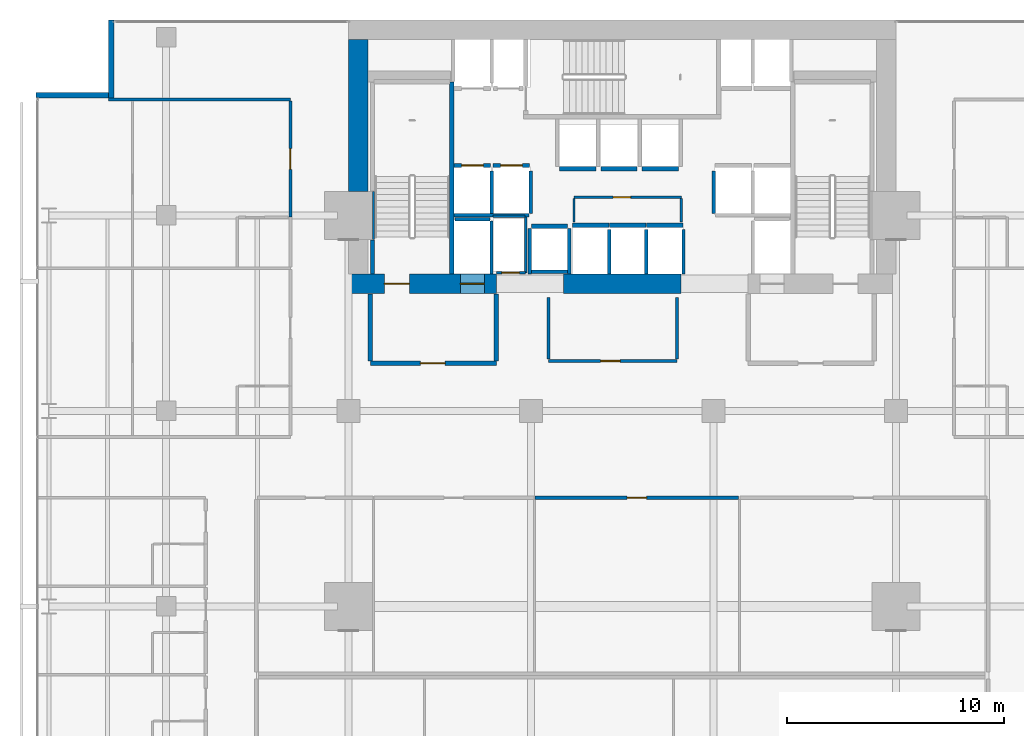
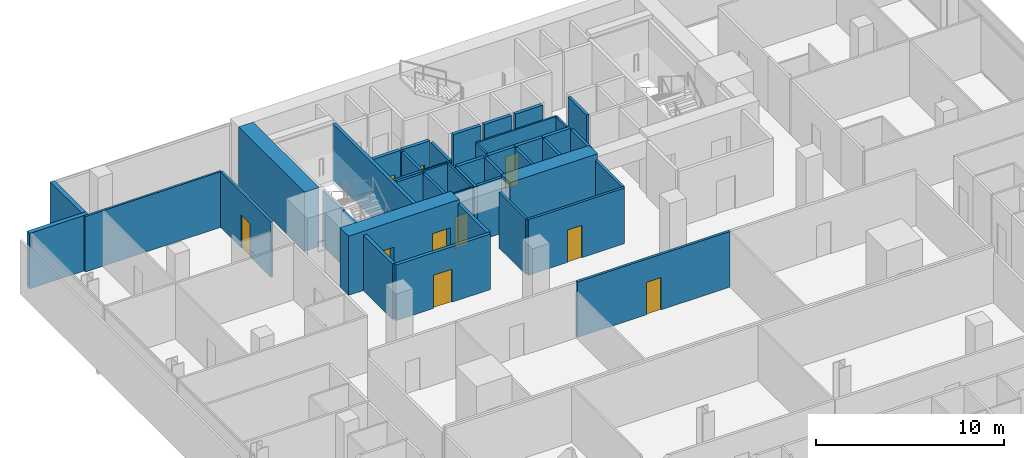
# One storey, part 36 of 40: 44 walls, 10 doors, 10 openings.
"""IFC4 building model written with IfcOpenShell, lengths in metres."""

from ifc_helpers import new_model, si_unit, direction, frame, frame_2d, origin, place, context, subcontext, project, spatial, rectangle, extrude, material, layer, layer_set, type_object, element, fill, save


model = new_model("IFC4")

# Units and contexts
model_context = context("Model", 3, precision=1e-05, world=origin(), true_north=direction((0.0, 1.0)))
body_context = subcontext(model_context, "Body", "Model", "MODEL_VIEW")
ifc_project = project(units=[si_unit("LENGTHUNIT", "METRE"), si_unit("AREAUNIT", "SQUARE_METRE"), si_unit("VOLUMEUNIT", "CUBIC_METRE"), si_unit("PLANEANGLEUNIT", "RADIAN"), si_unit("MASSUNIT", "GRAM", prefix="KILO")], contexts=[model_context])

# Site, building, storey
site_placement = place(None, origin())
site = spatial("IfcSite", under=ifc_project, at=site_placement, CompositionType="ELEMENT")
building_placement = place(site_placement, origin())
building = spatial("IfcBuilding", under=site, at=building_placement, Name="Maruvema Waterfront Hotel and Observation Tower", CompositionType="ELEMENT")
storey_placement = place(building_placement, frame((0.0, 0.0, 53.89990234375)))
storey = spatial("IfcBuildingStorey", under=building, at=storey_placement, Name="L12", CompositionType="ELEMENT", Elevation=53.89990234375)

# Wall, opening, door
ifc_material_1 = material(Name="Twin-stud acoustic gypsum drywall", Category="gypsum")
ifc_layer_1 = layer(ifc_material_1, 0.14990234375, Name="Acoustic Corridor and Suite Demising Wall 150 mm")
ifc_layer_set_1 = layer_set([ifc_layer_1], Name="Twin-stud acoustic gypsum drywall")
wall_type_1 = type_object("IfcWallType", Name="Acoustic Corridor and Suite Demising Wall 150 mm", PredefinedType="PARTITIONING", material=ifc_layer_set_1)
wall_1_placement = place(storey_placement, frame((34.39990234375, 38.300048828125, 0.0), z_axis=(0.0, 0.0, 1.0), x_axis=(1.0, 0.0, 0.0)))
wall_1 = element("IfcWall", 1, at=wall_1_placement, inside=storey, type_object=wall_type_1, Name="L12 Core Apron K0 South 013", PredefinedType="PARTITIONING", context=body_context, shape_type="SweptSolid", body=[
    extrude(rectangle(XDim=5.920166015625, YDim=0.14990234375, at=frame_2d((2.9599609375, 0.0))), origin(), (0.0, 0.0, 1.0), 3.610107421875),
])
opening_1_placement = place(wall_1_placement, frame((2.39990234375, 0.0, 0.0)))
opening_1 = element("IfcOpeningElement", 2, at=opening_1_placement, cuts=wall_1, Name="Opening DR-090", PredefinedType="OPENING", context=body_context, shape_type="SweptSolid", body=[
    extrude(rectangle(XDim=0.89990234375, YDim=2.10009765625, at=frame_2d((0.449951171875, 1.050048828125))), frame((0.0, 0.0849609375, 0.0), z_axis=(0.0, -1.0, 0.0), x_axis=(1.0, 0.0, 0.0)), (0.0, 0.0, 1.0), 0.169921875),
])
ifc_material_2 = material(Name="Solid-core lacquered timber leaf", Category="wood")
door_type_1 = type_object("IfcDoorType", Name="Accessible Toilet and Room Door 900x2100 mm", OperationType="NOTDEFINED", PredefinedType="DOOR", material=ifc_material_2)
door_1_placement = place(opening_1_placement, frame((0.89990234375, 0.0, 0.0), z_axis=(0.0, 0.0, 1.0), x_axis=(-1.0, 0.0, 0.0)))
door_1 = element("IfcDoor", 3, at=door_1_placement, inside=storey, type_object=door_type_1, Name="L12 Core Valet Room Door", OperationType="SINGLE_SWING_LEFT", OverallHeight=2.10009765625, OverallWidth=0.89990234375, PredefinedType="DOOR", context=body_context, shape_type="SweptSolid", body=[
    extrude(rectangle(XDim=0.89990234375, YDim=2.10009765625, at=frame_2d((0.449951171875, 1.050048828125))), frame((0.0, 0.02490234375, 0.0), z_axis=(0.0, -1.0, 0.0), x_axis=(1.0, 0.0, 0.0)), (0.0, 0.0, 1.0), 0.050048828125),
])
fill(opening_1, door_1)

# Walls
for number, where, z_axis, x_axis, name in (
    (4, (34.39990234375, 38.3798828125, 0.0), (0.0, 0.0, 1.0), (0.0, 1.0, 0.0), "L12 Core Apron K0 West 014"),
    (5, (40.320068359375, 38.3798828125, 0.0), (0.0, 0.0, 1.0), (0.0, 1.0, 0.0), "L12 Core Apron K0 East 015"),
):
    element("IfcWall", number, at=place(storey_placement, frame(where, z_axis=z_axis, x_axis=x_axis)), inside=storey, type_object=wall_type_1, Name=name, PredefinedType="PARTITIONING", context=body_context, shape_type="SweptSolid", body=[
        extrude(rectangle(XDim=2.840087890625, YDim=0.14990234375, at=frame_2d((1.419921875, 0.0))), origin(), (0.0, 0.0, 1.0), 3.610107421875),
    ])

# Wall, opening, door
wall_2_placement = place(storey_placement, frame((33.785888671875, 32.0, 0.0), z_axis=(0.0, 0.0, 1.0), x_axis=(1.0, 0.0, 0.0)))
wall_2 = element("IfcWall", 6, at=wall_2_placement, inside=storey, type_object=wall_type_1, Name="L12 L12-INTN Front 3 023", PredefinedType="PARTITIONING", context=body_context, shape_type="SweptSolid", body=[
    extrude(rectangle(XDim=9.376220703125, YDim=0.14990234375, at=frame_2d((4.68798828125, 0.0))), origin(), (0.0, 0.0, 1.0), 3.610107421875),
])
opening_2_placement = place(wall_2_placement, frame((4.238037109375, 0.0, 0.0)))
opening_2 = element("IfcOpeningElement", 7, at=opening_2_placement, cuts=wall_2, Name="Opening DR-090", PredefinedType="OPENING", context=body_context, shape_type="SweptSolid", body=[
    extrude(rectangle(XDim=0.89990234375, YDim=2.10009765625, at=frame_2d((0.449951171875, 1.050048828125))), frame((0.0, 0.0849609375, 0.0), z_axis=(0.0, -1.0, 0.0), x_axis=(1.0, 0.0, 0.0)), (0.0, 0.0, 1.0), 0.169921875),
])
door_2_placement = place(opening_2_placement, origin())
door_2 = element("IfcDoor", 8, at=door_2_placement, inside=storey, type_object=door_type_1, Name="L12 Conference Salon 3 Door", OperationType="SINGLE_SWING_RIGHT", OverallHeight=2.10009765625, OverallWidth=0.89990234375, PredefinedType="DOOR", context=body_context, shape_type="SweptSolid", body=[
    extrude(rectangle(XDim=0.89990234375, YDim=2.10009765625, at=frame_2d((0.449951171875, 1.050048828125))), frame((0.0, 0.02490234375, 0.0), z_axis=(0.0, -1.0, 0.0), x_axis=(1.0, 0.0, 0.0)), (0.0, 0.0, 1.0), 0.050048828125),
])
fill(opening_2, door_2)

wall_3_placement = place(storey_placement, frame((22.52001953125, 44.918701171875, 0.0), z_axis=(0.0, 0.0, 1.0), x_axis=(0.0, 1.0, 0.0)))
wall_3 = element("IfcWall", 9, at=wall_3_placement, inside=storey, type_object=wall_type_1, Name="L12 Room L12-NW2 Corridor Wall 135", PredefinedType="PARTITIONING", context=body_context, shape_type="SweptSolid", body=[
    extrude(rectangle(XDim=5.35888671875, YDim=0.14990234375, at=frame_2d((2.679443359375, 0.0))), origin(), (0.0, 0.0, 1.0), 3.610107421875),
])
opening_3_placement = place(wall_3_placement, frame((2.204345703125, 0.0, 0.0)))
opening_3 = element("IfcOpeningElement", 10, at=opening_3_placement, cuts=wall_3, Name="Opening DR-095", PredefinedType="OPENING", context=body_context, shape_type="SweptSolid", body=[
    extrude(rectangle(XDim=0.949951171875, YDim=2.14990234375, at=frame_2d((0.47509765625, 1.074951171875))), frame((0.0, 0.0849609375, 0.0), z_axis=(0.0, -1.0, 0.0), x_axis=(1.0, 0.0, 0.0)), (0.0, 0.0, 1.0), 0.169921875),
])
ifc_material_3 = material(Name="Acoustic solid-core hardwood timber leaf", Category="wood")
door_type_2 = type_object("IfcDoorType", Name="Guestroom Entrance Fire Door 950x2150 mm", OperationType="NOTDEFINED", PredefinedType="DOOR", material=ifc_material_3)
door_3_placement = place(opening_3_placement, origin())
door_3 = element("IfcDoor", 11, at=door_3_placement, inside=storey, type_object=door_type_2, Name="L12 Room L12-NW2 Entrance Door", OperationType="SINGLE_SWING_RIGHT", OverallHeight=2.14990234375, OverallWidth=0.949951171875, PredefinedType="DOOR", context=body_context, shape_type="SweptSolid", body=[
    extrude(rectangle(XDim=0.949951171875, YDim=2.14990234375, at=frame_2d((0.47509765625, 1.074951171875))), frame((0.0, 0.02490234375, 0.0), z_axis=(0.0, -1.0, 0.0), x_axis=(1.0, 0.0, 0.0)), (0.0, 0.0, 1.0), 0.050048828125),
])
fill(opening_3, door_3)

# Walls
ifc_material_4 = material(Name="Precast concrete C45/55", Category="concrete")
ifc_layer_2 = layer(ifc_material_4, 0.199951171875, Name="Core Shaft and Stairwell Enclosure Wall 200 mm")
ifc_layer_set_2 = layer_set([ifc_layer_2], Name="Precast concrete C45/55")
wall_type_2 = type_object("IfcWallType", Name="Core Shaft and Stairwell Enclosure Wall 200 mm", PredefinedType="SOLIDWALL", material=ifc_layer_set_2)
wall_4_placement = place(storey_placement, frame((29.949951171875, 42.300048828125, 0.0), z_axis=(0.0, 0.0, 1.0), x_axis=(0.0, 1.0, 0.0)))
element("IfcWall", 12, at=wall_4_placement, inside=storey, type_object=wall_type_2, Name="L12 Stairwell ST-01 East Shaft Wall", PredefinedType="SOLIDWALL", context=body_context, shape_type="SweptSolid", body=[
    extrude(rectangle(XDim=8.849853515625, YDim=0.199951171875, at=frame_2d((4.4248046875, 0.0))), origin(), (0.0, 0.0, 1.0), 3.610107421875),
])
wall_5_placement = place(storey_placement, frame((26.300048828125, 42.300048828125, 0.0), z_axis=(0.0, 0.0, 1.0), x_axis=(0.0, 1.0, 0.0)))
element("IfcWall", 13, at=wall_5_placement, inside=storey, type_object=wall_type_2, Name="L12 Stairwell ST-01 Shaft Lining Wall", PredefinedType="SOLIDWALL", context=body_context, shape_type="SweptSolid", body=[
    extrude(rectangle(XDim=1.579833984375, YDim=0.199951171875, at=frame_2d((0.7900390625, 0.0))), origin(), (0.0, 0.0, 1.0), 3.610107421875),
])

# Wall, opening, door
wall_6_placement = place(storey_placement, frame((30.06005859375, 47.300048828125, 0.0), z_axis=(0.0, 0.0, 1.0), x_axis=(1.0, 0.0, 0.0)))
wall_6 = element("IfcWall", 14, at=wall_6_placement, inside=storey, type_object=wall_type_2, Name="L12 Lift LF-01 Hoistway Front Wall", PredefinedType="SOLIDWALL", context=body_context, shape_type="SweptSolid", body=[
    extrude(rectangle(XDim=1.679931640625, YDim=0.199951171875, at=frame_2d((0.83984375, 0.0))), origin(), (0.0, 0.0, 1.0), 3.610107421875),
])
opening_4_placement = place(wall_6_placement, frame((0.340087890625, 0.0, 0.0)))
opening_4 = element("IfcOpeningElement", 15, at=opening_4_placement, cuts=wall_6, Name="Opening LD-01", PredefinedType="OPENING", context=body_context, shape_type="SweptSolid", body=[
    extrude(rectangle(XDim=1.0, YDim=2.14990234375, at=frame_2d((0.5, 1.074951171875))), frame((0.0, 0.10986328125, 0.0), z_axis=(0.0, -1.0, 0.0), x_axis=(1.0, 0.0, 0.0)), (0.0, 0.0, 1.0), 0.219970703125),
])
ifc_material_5 = material(Name="Brushed stainless steel Grade 316", Category="steel")
door_type_3 = type_object("IfcDoorType", Name="Passenger Lift Sliding Landing Door 1000x2150 mm", OperationType="SLIDING_TO_LEFT", PredefinedType="DOOR", material=ifc_material_5)
door_4_placement = place(opening_4_placement, origin())
door_4 = element("IfcDoor", 16, at=door_4_placement, inside=storey, type_object=door_type_3, Name="L12 Lift LF-01 Sliding Landing Door", OperationType="SLIDING_TO_LEFT", OverallHeight=2.14990234375, OverallWidth=1.0, PredefinedType="DOOR", context=body_context, shape_type="SweptSolid", body=[
    extrude(rectangle(XDim=1.0, YDim=2.14990234375, at=frame_2d((0.5, 1.074951171875))), frame((0.0, 0.02490234375, 0.0), z_axis=(0.0, -1.0, 0.0), x_axis=(1.0, 0.0, 0.0)), (0.0, 0.0, 1.0), 0.050048828125),
])
fill(opening_4, door_4)

wall_7_placement = place(storey_placement, frame((31.860107421875, 47.300048828125, 0.0), z_axis=(0.0, 0.0, 1.0), x_axis=(1.0, 0.0, 0.0)))
wall_7 = element("IfcWall", 17, at=wall_7_placement, inside=storey, type_object=wall_type_2, Name="L12 Lift LF-02 Hoistway Front Wall", PredefinedType="SOLIDWALL", context=body_context, shape_type="SweptSolid", body=[
    extrude(rectangle(XDim=1.679931640625, YDim=0.199951171875, at=frame_2d((0.83984375, 0.0))), origin(), (0.0, 0.0, 1.0), 3.610107421875),
])
opening_5_placement = place(wall_7_placement, frame((0.340087890625, 0.0, 0.0)))
opening_5 = element("IfcOpeningElement", 18, at=opening_5_placement, cuts=wall_7, Name="Opening LD-01", PredefinedType="OPENING", context=body_context, shape_type="SweptSolid", body=[
    extrude(rectangle(XDim=1.0, YDim=2.14990234375, at=frame_2d((0.5, 1.074951171875))), frame((0.0, 0.10986328125, 0.0), z_axis=(0.0, -1.0, 0.0), x_axis=(1.0, 0.0, 0.0)), (0.0, 0.0, 1.0), 0.219970703125),
])
door_5_placement = place(opening_5_placement, origin())
door_5 = element("IfcDoor", 19, at=door_5_placement, inside=storey, type_object=door_type_3, Name="L12 Lift LF-02 Sliding Landing Door", OperationType="SLIDING_TO_LEFT", OverallHeight=2.14990234375, OverallWidth=1.0, PredefinedType="DOOR", context=body_context, shape_type="SweptSolid", body=[
    extrude(rectangle(XDim=1.0, YDim=2.14990234375, at=frame_2d((0.5, 1.074951171875))), frame((0.0, 0.02490234375, 0.0), z_axis=(0.0, -1.0, 0.0), x_axis=(1.0, 0.0, 0.0)), (0.0, 0.0, 1.0), 0.050048828125),
])
fill(opening_5, door_5)

# Walls
for number, where, z_axis, x_axis, name in (
    (20, (35.510009765625, 44.550048828125, 0.0), (0.0, 0.0, 1.0), (1.0, 0.0, 0.0), "L12 Lift LF-09 Hoistway Front Wall"),
    (21, (37.2099609375, 44.550048828125, 0.0), (0.0, 0.0, 1.0), (1.0, 0.0, 0.0), "L12 Lift LF-10 Hoistway Front Wall"),
):
    element("IfcWall", number, at=place(storey_placement, frame(where, z_axis=z_axis, x_axis=x_axis)), inside=storey, type_object=wall_type_2, Name=name, PredefinedType="SOLIDWALL", context=body_context, shape_type="SweptSolid", body=[
        extrude(rectangle(XDim=1.679931640625, YDim=0.199951171875, at=frame_2d((0.83984375, 0.0))), origin(), (0.0, 0.0, 1.0), 3.610107421875),
    ])
for number, where, z_axis, x_axis, name in (
    (22, (38.909912109375, 44.550048828125, 0.0), (0.0, 0.0, 1.0), (1.0, 0.0, 0.0), "L12 Lift LF-11 Hoistway Front Wall"),
    (23, (34.909912109375, 47.14990234375, 0.0), (0.0, 0.0, 1.0), (1.0, 0.0, 0.0), "L12 Lift LF-12 Hoistway Front Wall"),
):
    element("IfcWall", number, at=place(storey_placement, frame(where, z_axis=z_axis, x_axis=x_axis)), inside=storey, type_object=wall_type_2, Name=name, PredefinedType="SOLIDWALL", context=body_context, shape_type="SweptSolid", body=[
        extrude(rectangle(XDim=1.68017578125, YDim=0.199951171875, at=frame_2d((0.840087890625, 0.0))), origin(), (0.0, 0.0, 1.0), 3.610107421875),
    ])
for number, where, z_axis, x_axis, name in (
    (24, (36.81005859375, 47.14990234375, 0.0), (0.0, 0.0, 1.0), (1.0, 0.0, 0.0), "L12 Lift LF-13 Hoistway Front Wall"),
    (25, (38.7099609375, 47.14990234375, 0.0), (0.0, 0.0, 1.0), (1.0, 0.0, 0.0), "L12 Lift LF-14 Hoistway Front Wall"),
    (26, (33.610107421875, 44.5, 0.0), (0.0, 0.0, 1.0), (1.0, 0.0, 0.0), "L12 Lift LF-15 Hoistway Front Wall"),
):
    element("IfcWall", number, at=place(storey_placement, frame(where, z_axis=z_axis, x_axis=x_axis)), inside=storey, type_object=wall_type_2, Name=name, PredefinedType="SOLIDWALL", context=body_context, shape_type="SweptSolid", body=[
        extrude(rectangle(XDim=1.679931640625, YDim=0.199951171875, at=frame_2d((0.83984375, 0.0))), origin(), (0.0, 0.0, 1.0), 3.610107421875),
    ])

# Wall, openings, doors
ifc_material_6 = material(Name="Concrete C80/95", Category="concrete")
ifc_layer_3 = layer(ifc_material_6, 0.89990234375, Name="Core Shear Wall 900 mm")
ifc_layer_set_3 = layer_set([ifc_layer_3], Name="Concrete C80/95")
wall_type_3 = type_object("IfcWallType", Name="Core Shear Wall 900 mm", PredefinedType="SHEAR", material=ifc_layer_set_3)
wall_8_placement = place(storey_placement, frame((25.199951171875, 41.85009765625, 0.0), z_axis=(0.0, 0.0, 1.0), x_axis=(1.0, 0.0, 0.0)))
wall_8 = element("IfcWall", 27, at=wall_8_placement, inside=storey, type_object=wall_type_3, Name="L12 South-West Core Shear Wall", PredefinedType="SHEAR", context=body_context, shape_type="SweptSolid", body=[
    extrude(rectangle(XDim=6.800048828125, YDim=0.89990234375, at=frame_2d((3.39990234375, 0.0))), origin(), (0.0, 0.0, 1.0), 3.85009765625),
])
opening_6_placement = place(wall_8_placement, frame((1.64990234375, 0.0, 0.0)))
opening_6 = element("IfcOpeningElement", 28, at=opening_6_placement, cuts=wall_8, Name="Opening SD-01", PredefinedType="OPENING", context=body_context, shape_type="SweptSolid", body=[
    extrude(rectangle(XDim=1.14990234375, YDim=2.14990234375, at=frame_2d((0.574951171875, 1.074951171875))), frame((0.0, 0.4599609375, 0.0), z_axis=(0.0, -1.0, 0.0), x_axis=(1.0, 0.0, 0.0)), (0.0, 0.0, 1.0), 0.919921875),
])
opening_7_placement = place(wall_8_placement, frame((5.14990234375, 0.0, 0.0)))
opening_7 = element("IfcOpeningElement", 29, at=opening_7_placement, cuts=wall_8, Name="Opening LD-03", PredefinedType="OPENING", context=body_context, shape_type="SweptSolid", body=[
    extrude(rectangle(XDim=1.10009765625, YDim=2.199951171875, at=frame_2d((0.550048828125, 1.10009765625))), frame((0.0, 0.4599609375, 0.0), z_axis=(0.0, -1.0, 0.0), x_axis=(1.0, 0.0, 0.0)), (0.0, 0.0, 1.0), 0.919921875),
])
ifc_material_7 = material(Name="Fire-rated galvanised steel leaf", Category="steel")
door_type_4 = type_object("IfcDoorType", Name="Exit Stair Fire Door 1150x2150 mm", OperationType="NOTDEFINED", PredefinedType="DOOR", material=ifc_material_7)
door_6_placement = place(opening_6_placement, origin())
door_6 = element("IfcDoor", 30, at=door_6_placement, inside=storey, type_object=door_type_4, Name="L12 Exit Stair ST-01 Fire Door", OperationType="SINGLE_SWING_LEFT", OverallHeight=2.14990234375, OverallWidth=1.14990234375, PredefinedType="DOOR", context=body_context, shape_type="SweptSolid", body=[
    extrude(rectangle(XDim=1.14990234375, YDim=2.14990234375, at=frame_2d((0.574951171875, 1.074951171875))), frame((0.0, 0.02490234375, 0.0), z_axis=(0.0, -1.0, 0.0), x_axis=(1.0, 0.0, 0.0)), (0.0, 0.0, 1.0), 0.050048828125),
])
fill(opening_6, door_6)
ifc_material_8 = material(Name="Brushed stainless steel Grade 316", Category="steel")
door_type_5 = type_object("IfcDoorType", Name="Firefighting Lift Sliding Landing Door 1100x2200 mm", OperationType="SLIDING_TO_LEFT", PredefinedType="DOOR", material=ifc_material_8)
door_7_placement = place(opening_7_placement, frame((1.10009765625, 0.0, 0.0), z_axis=(0.0, 0.0, 1.0), x_axis=(-1.0, 0.0, 0.0)))
door_7 = element("IfcDoor", 31, at=door_7_placement, inside=storey, type_object=door_type_5, Name="L12 Firefighting Lift FL-01 Landing Door", OperationType="SLIDING_TO_LEFT", OverallHeight=2.199951171875, OverallWidth=1.10009765625, PredefinedType="DOOR", context=body_context, shape_type="SweptSolid", body=[
    extrude(rectangle(XDim=1.10009765625, YDim=2.199951171875, at=frame_2d((0.550048828125, 1.10009765625))), frame((0.0, 0.02490234375, 0.0), z_axis=(0.0, -1.0, 0.0), x_axis=(1.0, 0.0, 0.0)), (0.0, 0.0, 1.0), 0.050048828125),
])
fill(opening_7, door_7)

# Walls
wall_9_placement = place(storey_placement, frame((35.10009765625, 41.85009765625, 0.0), z_axis=(0.0, 0.0, 1.0), x_axis=(1.0, 0.0, 0.0)))
element("IfcWall", 32, at=wall_9_placement, inside=storey, type_object=wall_type_3, Name="L12 South-Central Core Shear Wall", PredefinedType="SHEAR", context=body_context, shape_type="SweptSolid", body=[
    extrude(rectangle(XDim=5.39990234375, YDim=0.89990234375, at=frame_2d((2.699951171875, 0.0))), origin(), (0.0, 0.0, 1.0), 3.85009765625),
])
wall_10_placement = place(storey_placement, frame((25.64990234375, 46.10009765625, 0.0), z_axis=(0.0, 0.0, 1.0), x_axis=(0.0, 1.0, 0.0)))
element("IfcWall", 33, at=wall_10_placement, inside=storey, type_object=wall_type_3, Name="L12 West-North Core Shear Wall", PredefinedType="SHEAR", context=body_context, shape_type="SweptSolid", body=[
    extrude(rectangle(XDim=7.0, YDim=0.89990234375, at=frame_2d((3.5, 0.0))), origin(), (0.0, 0.0, 1.0), 3.85009765625),
])

# Wall, opening, door
ifc_material_9 = material(Name="Moisture-resistant cement-board drywall", Category="gypsum")
ifc_layer_4 = layer(ifc_material_9, 0.10009765625, Name="En-Suite Moisture-Resistant Partition 100 mm")
ifc_layer_set_4 = layer_set([ifc_layer_4], Name="Moisture-resistant cement-board drywall")
wall_type_4 = type_object("IfcWallType", Name="En-Suite Moisture-Resistant Partition 100 mm", PredefinedType="PARTITIONING", material=ifc_layer_set_4)
wall_11_placement = place(storey_placement, frame((32.02001953125, 42.360107421875, 0.0), z_axis=(0.0, 0.0, 1.0), x_axis=(1.0, 0.0, 0.0)))
wall_11 = element("IfcWall", 34, at=wall_11_placement, inside=storey, type_object=wall_type_4, Name="L12 Telecom Riser South Wall 007", PredefinedType="PARTITIONING", context=body_context, shape_type="SweptSolid", body=[
    extrude(rectangle(XDim=1.320068359375, YDim=0.10009765625, at=frame_2d((0.66015625, 0.0))), origin(), (0.0, 0.0, 1.0), 3.610107421875),
])
opening_8_placement = place(wall_11_placement, frame((0.239990234375, 0.0, 0.0)))
opening_8 = element("IfcOpeningElement", 35, at=opening_8_placement, cuts=wall_11, Name="Opening DR-080", PredefinedType="OPENING", context=body_context, shape_type="SweptSolid", body=[
    extrude(rectangle(XDim=0.800048828125, YDim=2.050048828125, at=frame_2d((0.39990234375, 1.02490234375))), frame((0.0, 0.06005859375, 0.0), z_axis=(0.0, -1.0, 0.0), x_axis=(1.0, 0.0, 0.0)), (0.0, 0.0, 1.0), 0.1201171875),
])
ifc_material_10 = material(Name="Powder-coated steel access leaf", Category="steel")
door_type_6 = type_object("IfcDoorType", Name="Riser and Service Cupboard Door 800x2050 mm", OperationType="NOTDEFINED", PredefinedType="DOOR", material=ifc_material_10)
door_8_placement = place(opening_8_placement, frame((0.800048828125, 0.0, 0.0), z_axis=(0.0, 0.0, 1.0), x_axis=(-1.0, 0.0, 0.0)))
door_8 = element("IfcDoor", 36, at=door_8_placement, inside=storey, type_object=door_type_6, Name="L12 Telecom Riser Door", OperationType="SINGLE_SWING_LEFT", OverallHeight=2.050048828125, OverallWidth=0.800048828125, PredefinedType="DOOR", context=body_context, shape_type="SweptSolid", body=[
    extrude(rectangle(XDim=0.800048828125, YDim=2.050048828125, at=frame_2d((0.39990234375, 1.02490234375))), frame((0.0, 0.02490234375, 0.0), z_axis=(0.0, -1.0, 0.0), x_axis=(1.0, 0.0, 0.0)), (0.0, 0.0, 1.0), 0.050048828125),
])
fill(opening_8, door_8)

# Walls
wall_12_placement = place(storey_placement, frame((31.840087890625, 44.9599609375, 0.0), z_axis=(0.0, 0.0, 1.0), x_axis=(1.0, 0.0, 0.0)))
element("IfcWall", 37, at=wall_12_placement, inside=storey, type_object=wall_type_4, Name="L12 Telecom Riser North Wall 008", PredefinedType="PARTITIONING", context=body_context, shape_type="SweptSolid", body=[
    extrude(rectangle(XDim=1.47998046875, YDim=0.10009765625, at=frame_2d((0.739990234375, 0.0))), origin(), (0.0, 0.0, 1.0), 3.610107421875),
])
wall_13_placement = place(storey_placement, frame((33.360107421875, 42.360107421875, 0.0), z_axis=(0.0, 0.0, 1.0), x_axis=(0.0, 1.0, 0.0)))
element("IfcWall", 38, at=wall_13_placement, inside=storey, type_object=wall_type_4, Name="L12 Telecom Riser East Wall 009", PredefinedType="PARTITIONING", context=body_context, shape_type="SweptSolid", body=[
    extrude(rectangle(XDim=2.579833984375, YDim=0.10009765625, at=frame_2d((1.2900390625, 0.0))), origin(), (0.0, 0.0, 1.0), 3.610107421875),
])

# Wall, opening, door
wall_14_placement = place(storey_placement, frame((35.580078125, 45.840087890625, 0.0), z_axis=(0.0, 0.0, 1.0), x_axis=(1.0, 0.0, 0.0)))
wall_14 = element("IfcWall", 39, at=wall_14_placement, inside=storey, type_object=wall_type_4, Name="L12 Core Closet K0 North 010", PredefinedType="PARTITIONING", context=body_context, shape_type="SweptSolid", body=[
    extrude(rectangle(XDim=4.93994140625, YDim=0.10009765625, at=frame_2d((2.469970703125, 0.0))), origin(), (0.0, 0.0, 1.0), 3.610107421875),
])
opening_9_placement = place(wall_14_placement, frame((1.800048828125, 0.0, 0.0)))
opening_9 = element("IfcOpeningElement", 40, at=opening_9_placement, cuts=wall_14, Name="Opening DR-080", PredefinedType="OPENING", context=body_context, shape_type="SweptSolid", body=[
    extrude(rectangle(XDim=0.800048828125, YDim=2.050048828125, at=frame_2d((0.39990234375, 1.02490234375))), frame((0.0, 0.06005859375, 0.0), z_axis=(0.0, -1.0, 0.0), x_axis=(1.0, 0.0, 0.0)), (0.0, 0.0, 1.0), 0.1201171875),
])
door_9_placement = place(opening_9_placement, origin())
door_9 = element("IfcDoor", 41, at=door_9_placement, inside=storey, type_object=door_type_6, Name="L12 Core Electrical Closet Door", OperationType="SINGLE_SWING_RIGHT", OverallHeight=2.050048828125, OverallWidth=0.800048828125, PredefinedType="DOOR", context=body_context, shape_type="SweptSolid", body=[
    extrude(rectangle(XDim=0.800048828125, YDim=2.050048828125, at=frame_2d((0.39990234375, 1.02490234375))), frame((0.0, 0.02490234375, 0.0), z_axis=(0.0, -1.0, 0.0), x_axis=(1.0, 0.0, 0.0)), (0.0, 0.0, 1.0), 0.050048828125),
])
fill(opening_9, door_9)

# Walls
for number, where, z_axis, x_axis, name in (
    (42, (35.580078125, 44.699951171875, 0.0), (0.0, 0.0, 1.0), (0.0, 1.0, 0.0), "L12 Core Closet K0 West 011"),
    (43, (40.52001953125, 44.699951171875, 0.0), (0.0, 0.0, 1.0), (0.0, 1.0, 0.0), "L12 Core Closet K0 East 012"),
):
    element("IfcWall", number, at=place(storey_placement, frame(where, z_axis=z_axis, x_axis=x_axis)), inside=storey, type_object=wall_type_4, Name=name, PredefinedType="PARTITIONING", context=body_context, shape_type="SweptSolid", body=[
        extrude(rectangle(XDim=1.080078125, YDim=0.10009765625, at=frame_2d((0.5400390625, 0.0))), origin(), (0.0, 0.0, 1.0), 3.610107421875),
    ])
ifc_material_11 = material(Name="Precast concrete C45/55 with honed Pernambuco granite facing", Category="masonry")
ifc_layer_5 = layer(ifc_material_11, 0.260009765625, Name="Exterior Granite Clad Spandrel and Pier Wall 260 mm")
ifc_layer_set_5 = layer_set([ifc_layer_5], Name="Precast concrete C45/55 with honed Pernambuco granite facing")
wall_type_5 = type_object("IfcWallType", Name="Exterior Granite Clad Spandrel and Pier Wall 260 mm", PredefinedType="SOLIDWALL", material=ifc_layer_set_5)
wall_15_placement = place(storey_placement, frame((14.27001953125, 50.39990234375, 0.0), z_axis=(0.0, 0.0, 1.0), x_axis=(0.0, 1.0, 0.0)))
element("IfcWall", 44, at=wall_15_placement, inside=storey, type_object=wall_type_5, Name="L12 Corner Notch Granite Pier Wall NW1", PredefinedType="SOLIDWALL", context=body_context, shape_type="SweptSolid", body=[
    extrude(rectangle(XDim=3.60009765625, YDim=0.260009765625, at=frame_2d((1.800048828125, 0.0))), origin(), (0.0, 0.0, 1.0), 3.610107421875),
])
wall_16_placement = place(storey_placement, frame((10.800048828125, 50.530029296875, 0.0), z_axis=(0.0, 0.0, 1.0), x_axis=(1.0, 0.0, 0.0)))
element("IfcWall", 45, at=wall_16_placement, inside=storey, type_object=wall_type_5, Name="L12 Corner Notch Granite Pier Wall NW2", PredefinedType="SOLIDWALL", context=body_context, shape_type="SweptSolid", body=[
    extrude(rectangle(XDim=3.599853515625, YDim=0.260009765625, at=frame_2d((1.7998046875, 0.0))), origin(), (0.0, 0.0, 1.0), 3.610107421875),
])

# Wall, opening, door
ifc_material_12 = material(Name="Autoclaved cellular concrete blockwork", Category="masonry")
ifc_layer_6 = layer(ifc_material_12, 0.199951171875, Name="Fire Compartment Masonry Wall 200 mm")
ifc_layer_set_6 = layer_set([ifc_layer_6], Name="Autoclaved cellular concrete blockwork")
wall_type_6 = type_object("IfcWallType", Name="Fire Compartment Masonry Wall 200 mm", PredefinedType="PARTITIONING", material=ifc_layer_set_6)
wall_17_placement = place(storey_placement, frame((26.199951171875, 38.199951171875, 0.0), z_axis=(0.0, 0.0, 1.0), x_axis=(1.0, 0.0, 0.0)))
wall_17 = element("IfcWall", 46, at=wall_17_placement, inside=storey, type_object=wall_type_6, Name="L12 FFL West South Wall 001", PredefinedType="PARTITIONING", context=body_context, shape_type="SweptSolid", body=[
    extrude(rectangle(XDim=5.800048828125, YDim=0.199951171875, at=frame_2d((2.89990234375, 0.0))), origin(), (0.0, 0.0, 1.0), 3.610107421875),
])
opening_10_placement = place(wall_17_placement, frame((2.300048828125, 0.0, 0.0)))
opening_10 = element("IfcOpeningElement", 47, at=opening_10_placement, cuts=wall_17, Name="Opening FD-115", PredefinedType="OPENING", context=body_context, shape_type="SweptSolid", body=[
    extrude(rectangle(XDim=1.14990234375, YDim=2.14990234375, at=frame_2d((0.574951171875, 1.074951171875))), frame((0.0, 0.10986328125, 0.0), z_axis=(0.0, -1.0, 0.0), x_axis=(1.0, 0.0, 0.0)), (0.0, 0.0, 1.0), 0.219970703125),
])
ifc_material_13 = material(Name="Fire-rated galvanised steel and vision glass", Category="steel")
door_type_7 = type_object("IfcDoorType", Name="Firefighting Lobby Fire Door 1150x2150 mm", OperationType="NOTDEFINED", PredefinedType="DOOR", material=ifc_material_13)
door_10_placement = place(opening_10_placement, frame((1.14990234375, 0.0, 0.0), z_axis=(0.0, 0.0, 1.0), x_axis=(-1.0, 0.0, 0.0)))
door_10 = element("IfcDoor", 48, at=door_10_placement, inside=storey, type_object=door_type_7, Name="L12 Firefighting Lobby West Door", OperationType="SINGLE_SWING_LEFT", OverallHeight=2.14990234375, OverallWidth=1.14990234375, PredefinedType="DOOR", context=body_context, shape_type="SweptSolid", body=[
    extrude(rectangle(XDim=1.14990234375, YDim=2.14990234375, at=frame_2d((0.574951171875, 1.074951171875))), frame((0.0, 0.02490234375, 0.0), z_axis=(0.0, -1.0, 0.0), x_axis=(1.0, 0.0, 0.0)), (0.0, 0.0, 1.0), 0.050048828125),
])
fill(opening_10, door_10)

# Walls
for number, where, z_axis, x_axis, name in (
    (49, (26.199951171875, 38.31005859375, 0.0), (0.0, 0.0, 1.0), (0.0, 1.0, 0.0), "L12 FFL West West Wall 002"),
    (50, (32.0, 38.31005859375, 0.0), (0.0, 0.0, 1.0), (0.0, 1.0, 0.0), "L12 FFL West East Wall 003"),
):
    element("IfcWall", number, at=place(storey_placement, frame(where, z_axis=z_axis, x_axis=x_axis)), inside=storey, type_object=wall_type_6, Name=name, PredefinedType="PARTITIONING", context=body_context, shape_type="SweptSolid", body=[
        extrude(rectangle(XDim=3.06982421875, YDim=0.199951171875, at=frame_2d((1.534912109375, 0.0))), origin(), (0.0, 0.0, 1.0), 3.610107421875),
    ])
ifc_material_14 = material(Name="Acoustic gypsum plasterboard drywall", Category="gypsum")
ifc_layer_7 = layer(ifc_material_14, 0.125, Name="Guestroom Acoustic Demising Wall 125 mm")
ifc_layer_set_7 = layer_set([ifc_layer_7], Name="Acoustic gypsum plasterboard drywall")
wall_type_7 = type_object("IfcWallType", Name="Guestroom Acoustic Demising Wall 125 mm", PredefinedType="PARTITIONING", material=ifc_layer_set_7)
wall_18_placement = place(storey_placement, frame((14.139892578125, 50.33740234375, 0.0), z_axis=(0.0, 0.0, 1.0), x_axis=(1.0, 0.0, 0.0)))
element("IfcWall", 51, at=wall_18_placement, inside=storey, type_object=wall_type_7, Name="L12 NW Top End 120", PredefinedType="PARTITIONING", context=body_context, shape_type="SweptSolid", body=[
    extrude(rectangle(XDim=8.380126953125, YDim=0.125, at=frame_2d((4.18994140625, 0.0))), origin(), (0.0, 0.0, 1.0), 3.610107421875),
])
ifc_material_15 = material(Name="Precast concrete C45/55", Category="concrete")
ifc_layer_8 = layer(ifc_material_15, 0.159912109375, Name="Lift Hoistway Divider Wall 160 mm")
ifc_layer_set_8 = layer_set([ifc_layer_8], Name="Precast concrete C45/55")
wall_type_8 = type_object("IfcWallType", Name="Lift Hoistway Divider Wall 160 mm", PredefinedType="SOLIDWALL", material=ifc_layer_set_8)
wall_19_placement = place(storey_placement, frame((30.10009765625, 44.830078125, 0.0), z_axis=(0.0, 0.0, 1.0), x_axis=(1.0, 0.0, 0.0)))
element("IfcWall", 52, at=wall_19_placement, inside=storey, type_object=wall_type_8, Name="L12 Lift FL-01 Rear Hoistway Wall", PredefinedType="SOLIDWALL", context=body_context, shape_type="SweptSolid", body=[
    extrude(rectangle(XDim=1.599853515625, YDim=0.159912109375, at=frame_2d((0.7998046875, 0.0))), origin(), (0.0, 0.0, 1.0), 3.610107421875),
])
wall_20_placement = place(storey_placement, frame((31.780029296875, 42.300048828125, 0.0), z_axis=(0.0, 0.0, 1.0), x_axis=(0.0, 1.0, 0.0)))
element("IfcWall", 53, at=wall_20_placement, inside=storey, type_object=wall_type_8, Name="L12 Lift FL-01 Inner Hoistway Wall", PredefinedType="SOLIDWALL", context=body_context, shape_type="SweptSolid", body=[
    extrude(rectangle(XDim=2.43994140625, YDim=0.159912109375, at=frame_2d((1.219970703125, 0.0))), origin(), (0.0, 0.0, 1.0), 3.610107421875),
])
for number, where, z_axis, x_axis, name in (
    (54, (31.800048828125, 45.10009765625, 0.0), (0.0, 0.0, 1.0), (0.0, 1.0, 0.0), "L12 Hoistway Divider Wall"),
    (55, (33.580078125, 45.10009765625, 0.0), (0.0, 0.0, 1.0), (0.0, 1.0, 0.0), "L12 Hoistway Divider Wall"),
):
    element("IfcWall", number, at=place(storey_placement, frame(where, z_axis=z_axis, x_axis=x_axis)), inside=storey, type_object=wall_type_8, Name=name, PredefinedType="SOLIDWALL", context=body_context, shape_type="SweptSolid", body=[
        extrude(rectangle(XDim=1.949951171875, YDim=0.159912109375, at=frame_2d((0.97509765625, 0.0))), origin(), (0.0, 0.0, 1.0), 3.610107421875),
    ])
wall_21_placement = place(storey_placement, frame((30.050048828125, 45.010009765625, 0.0), z_axis=(0.0, 0.0, 1.0), x_axis=(1.0, 0.0, 0.0)))
element("IfcWall", 56, at=wall_21_placement, inside=storey, type_object=wall_type_8, Name="L12 Hoistway Divider Wall", PredefinedType="SOLIDWALL", context=body_context, shape_type="SweptSolid", body=[
    extrude(rectangle(XDim=3.449951171875, YDim=0.159912109375, at=frame_2d((1.72509765625, 0.0))), origin(), (0.0, 0.0, 1.0), 3.610107421875),
])
wall_22_placement = place(storey_placement, frame((42.02001953125, 45.10009765625, 0.0), z_axis=(0.0, 0.0, 1.0), x_axis=(0.0, 1.0, 0.0)))
element("IfcWall", 57, at=wall_22_placement, inside=storey, type_object=wall_type_8, Name="L12 Hoistway Divider Wall", PredefinedType="SOLIDWALL", context=body_context, shape_type="SweptSolid", body=[
    extrude(rectangle(XDim=1.949951171875, YDim=0.159912109375, at=frame_2d((0.97509765625, 0.0))), origin(), (0.0, 0.0, 1.0), 3.610107421875),
])
for number, where, z_axis, x_axis, name in (
    (58, (37.199951171875, 42.300048828125, 0.0), (0.0, 0.0, 1.0), (0.0, 1.0, 0.0), "L12 Hoistway Divider Wall"),
    (59, (38.89990234375, 42.300048828125, 0.0), (0.0, 0.0, 1.0), (0.0, 1.0, 0.0), "L12 Hoistway Divider Wall"),
    (60, (40.6201171875, 42.300048828125, 0.0), (0.0, 0.0, 1.0), (0.0, 1.0, 0.0), "L12 Hoistway Divider Wall"),
):
    element("IfcWall", number, at=place(storey_placement, frame(where, z_axis=z_axis, x_axis=x_axis)), inside=storey, type_object=wall_type_8, Name=name, PredefinedType="SOLIDWALL", context=body_context, shape_type="SweptSolid", body=[
        extrude(rectangle(XDim=2.050048828125, YDim=0.159912109375, at=frame_2d((1.02490234375, 0.0))), origin(), (0.0, 0.0, 1.0), 3.610107421875),
    ])
for number, where, z_axis, x_axis, name in (
    (61, (33.5400390625, 42.300048828125, 0.0), (0.0, 0.0, 1.0), (0.0, 1.0, 0.0), "L12 Hoistway Divider Wall"),
    (62, (35.360107421875, 42.300048828125, 0.0), (0.0, 0.0, 1.0), (0.0, 1.0, 0.0), "L12 Hoistway Divider Wall"),
):
    element("IfcWall", number, at=place(storey_placement, frame(where, z_axis=z_axis, x_axis=x_axis)), inside=storey, type_object=wall_type_8, Name=name, PredefinedType="SOLIDWALL", context=body_context, shape_type="SweptSolid", body=[
        extrude(rectangle(XDim=2.099853515625, YDim=0.159912109375, at=frame_2d((1.0498046875, 0.0))), origin(), (0.0, 0.0, 1.0), 3.610107421875),
    ])
wall_23_placement = place(storey_placement, frame((33.6201171875, 42.39990234375, 0.0), z_axis=(0.0, 0.0, 1.0), x_axis=(1.0, 0.0, 0.0)))
element("IfcWall", 63, at=wall_23_placement, inside=storey, type_object=wall_type_8, Name="L12 Hoistway Divider Wall", PredefinedType="SOLIDWALL", context=body_context, shape_type="SweptSolid", body=[
    extrude(rectangle(XDim=1.659912109375, YDim=0.159912109375, at=frame_2d((0.830078125, 0.0))), origin(), (0.0, 0.0, 1.0), 3.610107421875),
])
ifc_material_16 = material(Name="Precast concrete C45/55", Category="concrete")
ifc_layer_9 = layer(ifc_material_16, 0.10009765625, Name="Stairwell Stringer Cheek Wall 100 mm")
ifc_layer_set_9 = layer_set([ifc_layer_9], Name="Precast concrete C45/55")
wall_type_9 = type_object("IfcWallType", Name="Stairwell Stringer Cheek Wall 100 mm", PredefinedType="SOLIDWALL", material=ifc_layer_set_9)
wall_24_placement = place(storey_placement, frame((26.35205078125, 43.89990234375, 0.0), z_axis=(0.0, 0.0, 1.0), x_axis=(0.0, 1.0, 0.0)))
element("IfcWall", 64, at=wall_24_placement, inside=storey, type_object=wall_type_9, Name="L12 Stairwell ST-01 Mega-Column Cheek Wall", PredefinedType="SOLIDWALL", context=body_context, shape_type="SweptSolid", body=[
    extrude(rectangle(XDim=2.2001953125, YDim=0.10009765625, at=frame_2d((1.10009765625, 0.0))), origin(), (0.0, 0.0, 1.0), 3.610107421875),
])

save(model, "model.ifc")
